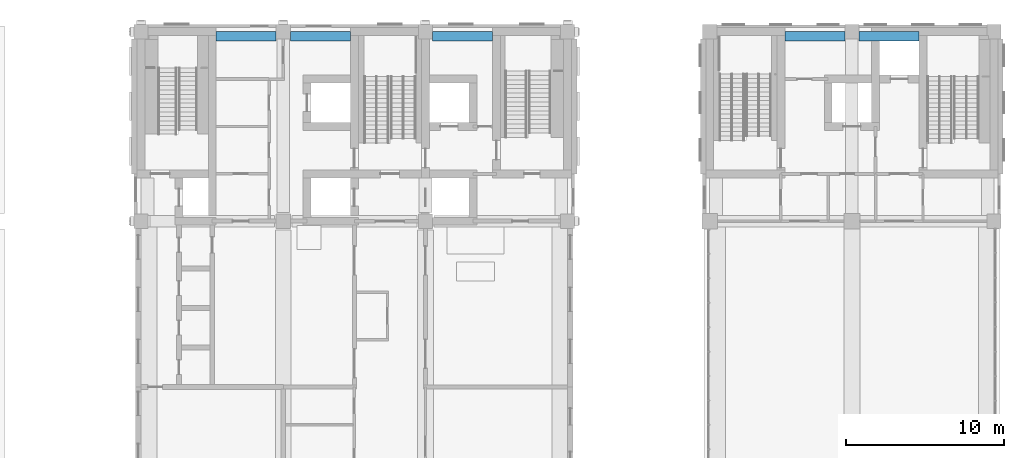
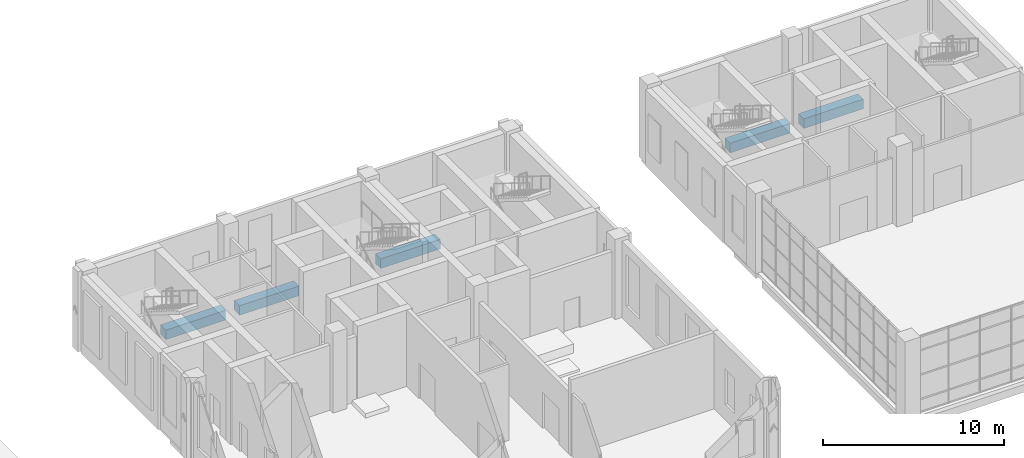
# One storey, part 9 of 33: 5 beams.
"""IFC4 building model written with IfcOpenShell, lengths in metres."""

from ifc_helpers import new_model, si_unit, direction, frame, origin, origin_2d, place, context, subcontext, project, spatial, rectangle, extrude, material, material_profile, profile_set, type_object, element, save


model = new_model("IFC4")

# Units and contexts
model_context = context("Model", 3, precision=1e-05, world=origin(), true_north=direction((0.0, 1.0)))
body_context = subcontext(model_context, "Body", "Model", "MODEL_VIEW")
ifc_project = project(units=[si_unit("LENGTHUNIT", "METRE"), si_unit("AREAUNIT", "SQUARE_METRE"), si_unit("VOLUMEUNIT", "CUBIC_METRE"), si_unit("PLANEANGLEUNIT", "RADIAN"), si_unit("MASSUNIT", "GRAM", prefix="KILO")], contexts=[model_context])

# Site, building, storey
site_placement = place(None, origin())
site = spatial("IfcSite", under=ifc_project, at=site_placement, CompositionType="ELEMENT")
building_placement = place(site_placement, origin())
building = spatial("IfcBuilding", under=site, at=building_placement, Name="Aurelan Courthouse", CompositionType="ELEMENT")
storey_placement = place(building_placement, frame((0.0, 0.0, 22.800048828125)))
storey = spatial("IfcBuildingStorey", under=building, at=storey_placement, Name="L04", CompositionType="ELEMENT", Elevation=22.800048828125)

# Beams
ifc_material = material(Name="Concrete C50", Category="concrete")
ifc_material_profile = material_profile(ifc_material, rectangle(XDim=0.60009765625, YDim=0.64990234375, at=origin_2d()), Name="RC 600 x 650")
ifc_profile_set = profile_set([ifc_material_profile], Name="Concrete C50")
beam_type = type_object("IfcBeamType", Name="RC spandrel beam 600 x 650", PredefinedType="SPANDREL", material=ifc_profile_set)
for number, where, z_axis, x_axis, name in (
    (1, (40.75, 65.699951171875, -0.574951171875), (1.0, 0.0, 0.0), (0.0, 1.0, 0.0), "Spandrel beam SB-F-5-6"),
    (2, (45.449951171875, 65.699951171875, -0.574951171875), (1.0, 0.0, 0.0), (0.0, 1.0, 0.0), "Spandrel beam SB-F-6-7"),
    (3, (54.449951171875, 65.699951171875, -0.574951171875), (1.0, 0.0, 0.0), (0.0, 1.0, 0.0), "Spandrel beam SB-F-7-8"),
    (4, (76.75, 65.699951171875, -0.574951171875), (1.0, 0.0, 0.0), (0.0, 1.0, 0.0), "Spandrel beam SB-F-9-10"),
    (5, (81.449951171875, 65.699951171875, -0.574951171875), (1.0, 0.0, 0.0), (0.0, 1.0, 0.0), "Spandrel beam SB-F-10-11"),
):
    element("IfcBeam", number, at=place(storey_placement, frame(where, z_axis=z_axis, x_axis=x_axis)), inside=storey, type_object=beam_type, Name=name, PredefinedType="SPANDREL", context=body_context, shape_type="SweptSolid", body=[
        extrude(rectangle(XDim=0.60009765625, YDim=0.64990234375, at=origin_2d()), origin(), (0.0, 0.0, 1.0), 3.800048828125),
    ])

save(model, "model.ifc")
